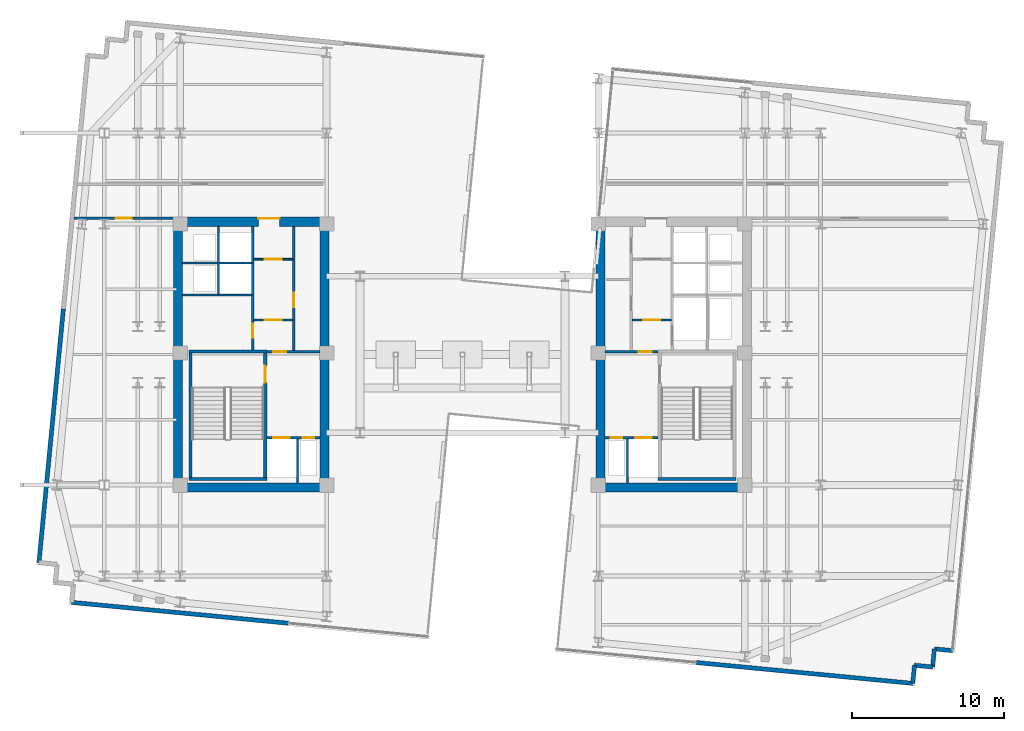
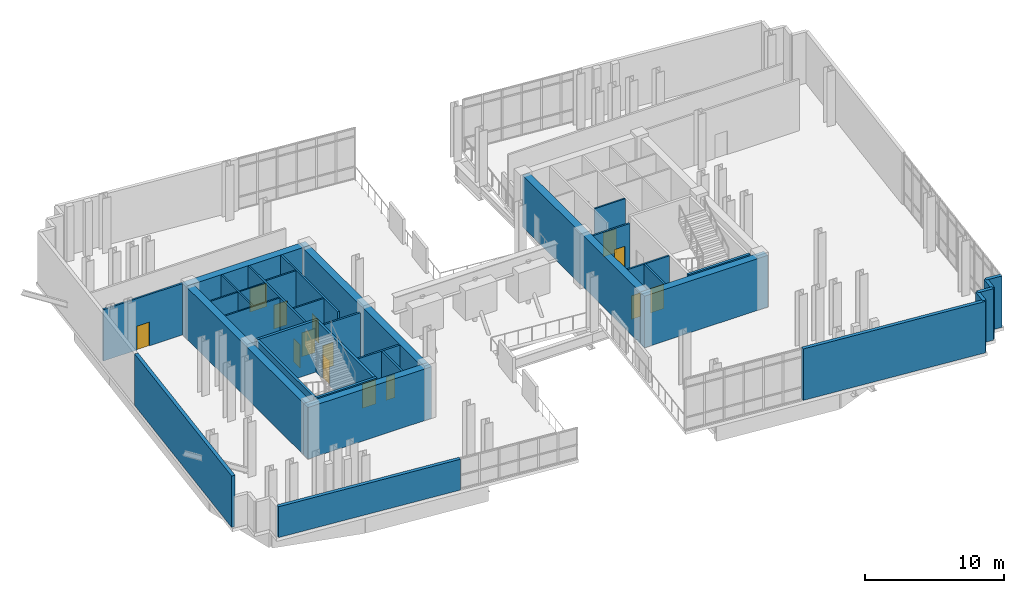
# One storey, part 12 of 16: 34 walls, 14 doors, 14 openings.
"""IFC4 building model written with IfcOpenShell, lengths in metres."""

from ifc_helpers import new_model, si_unit, direction, frame, frame_2d, origin, place, context, subcontext, project, spatial, rectangle, extrude, material, layer, layer_set, type_object, element, fill, save


model = new_model("IFC4")

# Units and contexts
model_context = context("Model", 3, precision=1e-05, world=origin(), true_north=direction((0.0, 1.0)))
body_context = subcontext(model_context, "Body", "Model", "MODEL_VIEW")
ifc_project = project(units=[si_unit("LENGTHUNIT", "METRE"), si_unit("AREAUNIT", "SQUARE_METRE"), si_unit("VOLUMEUNIT", "CUBIC_METRE"), si_unit("PLANEANGLEUNIT", "RADIAN"), si_unit("MASSUNIT", "GRAM", prefix="KILO")], contexts=[model_context])

# Site, building, storey
site_placement = place(None, origin())
site = spatial("IfcSite", under=ifc_project, at=site_placement, CompositionType="ELEMENT")
building_placement = place(site_placement, origin())
building = spatial("IfcBuilding", under=site, at=building_placement, Name="Velakula Bourse", CompositionType="ELEMENT")
storey_placement = place(building_placement, frame((0.0, 0.0, 199.5)))
storey = spatial("IfcBuildingStorey", under=building, at=storey_placement, Name="L54", CompositionType="ELEMENT", Elevation=199.5)

# Wall, opening, door
ifc_material_1 = material(Name="Concrete M50 (fck 50 MPa)", Category="concrete")
ifc_layer_1 = layer(ifc_material_1, 0.2099609375, Name="Concrete M50 (fck 50 MPa)", Category="concrete")
ifc_layer_set_1 = layer_set([ifc_layer_1], Name="Concrete M50 (fck 50 MPa)")
wall_type_1 = type_object("IfcWallType", Name="WL-CORE-210", PredefinedType="SHEAR", material=ifc_layer_set_1)
wall_1_placement = place(storey_placement, frame((-12.9951171875, -8.10009765625, 0.0), z_axis=(0.0, 0.0, 1.0), x_axis=(0.0, 1.0, 0.0)))
wall_1 = element("IfcWall", 1, at=wall_1_placement, inside=storey, type_object=wall_type_1, Name="L54 Core W Stairwell Shear Wall IN", PredefinedType="SHEAR", context=body_context, shape_type="SweptSolid", body=[
    extrude(rectangle(XDim=8.2001953125, YDim=0.2099609375, at=frame_2d((4.10009765625, 0.0))), origin(), (0.0, 0.0, 1.0), 4.52001953125),
])
opening_1_placement = place(wall_1_placement, frame((6.25, 0.0, 0.0)))
opening_1 = element("IfcOpeningElement", 2, at=opening_1_placement, cuts=wall_1, Name="Opening D-STW1", PredefinedType="OPENING", context=body_context, shape_type="SweptSolid", body=[
    extrude(rectangle(XDim=1.10009765625, YDim=2.14990234375, at=frame_2d((0.550048828125, 1.074951171875))), frame((0.0, 0.114990234375, 0.0), z_axis=(0.0, -1.0, 0.0), x_axis=(1.0, 0.0, 0.0)), (0.0, 0.0, 1.0), 0.22998046875),
])
ifc_material_2 = material(Name="Galvanised painted hollow steel fire door", Category="steel")
door_type_1 = type_object("IfcDoorType", Name="DR-FD120-1100x2150", OperationType="NOTDEFINED", PredefinedType="DOOR", material=ifc_material_2)
door_1_placement = place(opening_1_placement, origin())
door_1 = element("IfcDoor", 3, at=door_1_placement, inside=storey, type_object=door_type_1, Name="L54 Stair ST-W1 Fire Door", OperationType="SINGLE_SWING_LEFT", OverallHeight=2.14990234375, OverallWidth=1.10009765625, PredefinedType="DOOR", context=body_context, shape_type="SweptSolid", body=[
    extrude(rectangle(XDim=1.10009765625, YDim=2.14990234375, at=frame_2d((0.550048828125, 1.074951171875))), frame((0.0, 0.02490234375, 0.0), z_axis=(0.0, -1.0, 0.0), x_axis=(1.0, 0.0, 0.0)), (0.0, 0.0, 1.0), 0.050048828125),
])
fill(opening_1, door_1)

# Walls
wall_2_placement = place(storey_placement, frame((-17.925048828125, -8.10009765625, 0.0), z_axis=(0.0, 0.0, 1.0), x_axis=(0.0, 1.0, 0.0)))
element("IfcWall", 4, at=wall_2_placement, inside=storey, type_object=wall_type_1, Name="L54 Core W Stairwell Shear Wall OUT", PredefinedType="SHEAR", context=body_context, shape_type="SweptSolid", body=[
    extrude(rectangle(XDim=8.2001953125, YDim=0.2099609375, at=frame_2d((4.10009765625, 0.0))), origin(), (0.0, 0.0, 1.0), 4.52001953125),
])
for number, where, z_axis, x_axis, name in (
    (5, (-18.030029296875, -8.205078125, 0.0), (0.0, 0.0, 1.0), (1.0, 0.0, 0.0), "L54 Core W Stairwell Shear Wall S"),
    (6, (-12.889892578125, 0.205078125, 0.0), (0.0, 0.0, 1.0), (-1.0, 0.0, 0.0), "L54 Core W Stairwell Shear Wall N"),
    (7, (12.889892578125, -8.205078125, 0.0), (0.0, 0.0, 1.0), (1.0, 0.0, 0.0), "L54 Core E Stairwell Shear Wall S"),
):
    element("IfcWall", number, at=place(storey_placement, frame(where, z_axis=z_axis, x_axis=x_axis)), inside=storey, type_object=wall_type_1, Name=name, PredefinedType="SHEAR", context=body_context, shape_type="SweptSolid", body=[
        extrude(rectangle(XDim=5.14013671875, YDim=0.2099609375, at=frame_2d((2.570068359375, 0.0))), origin(), (0.0, 0.0, 1.0), 4.52001953125),
    ])
ifc_material_3 = material(Name="Concrete M70 (fck 70 MPa)", Category="concrete")
ifc_layer_2 = layer(ifc_material_3, 0.60009765625, Name="Concrete M70 (fck 70 MPa)", Category="concrete")
ifc_layer_set_2 = layer_set([ifc_layer_2], Name="Concrete M70 (fck 70 MPa)")
wall_type_2 = type_object("IfcWallType", Name="WL-CORE-600", PredefinedType="SHEAR", material=ifc_layer_set_2)
wall_3_placement = place(storey_placement, frame((-19.050048828125, -8.75, 0.0), z_axis=(0.0, 0.0, 1.0), x_axis=(1.0, 0.0, 0.0)))
element("IfcWall", 8, at=wall_3_placement, inside=storey, type_object=wall_type_2, Name="L54 Core W Shear Wall S", PredefinedType="SHEAR", context=body_context, shape_type="SweptSolid", body=[
    extrude(rectangle(XDim=10.25, YDim=0.60009765625, at=frame_2d((5.125, 0.0))), origin(), (0.0, 0.0, 1.0), 4.52001953125),
])

# Wall, opening, door
wall_4_placement = place(storey_placement, frame((-19.050048828125, 8.75, 0.0), z_axis=(0.0, 0.0, 1.0), x_axis=(1.0, 0.0, 0.0)))
wall_4 = element("IfcWall", 9, at=wall_4_placement, inside=storey, type_object=wall_type_2, Name="L54 Core W Shear Wall N", PredefinedType="SHEAR", context=body_context, shape_type="SweptSolid", body=[
    extrude(rectangle(XDim=10.25, YDim=0.60009765625, at=frame_2d((5.125, 0.0))), origin(), (0.0, 0.0, 1.0), 4.52001953125),
])
opening_2_placement = place(wall_4_placement, frame((5.60009765625, 0.0, 0.0)))
opening_2 = element("IfcOpeningElement", 10, at=opening_2_placement, cuts=wall_4, Name="Opening D-LLW", PredefinedType="OPENING", context=body_context, shape_type="SweptSolid", body=[
    extrude(rectangle(XDim=1.39990234375, YDim=2.050048828125, at=frame_2d((0.699951171875, 1.02490234375))), frame((0.0, 0.31005859375, 0.0), z_axis=(0.0, -1.0, 0.0), x_axis=(1.0, 0.0, 0.0)), (0.0, 0.0, 1.0), 0.6201171875),
])
ifc_material_4 = material(Name="Fire-rated hardwood flush architectural door", Category="wood")
door_type_2 = type_object("IfcDoorType", Name="DR-DBL-FD60-1400", OperationType="DOUBLE_DOOR_SINGLE_SWING", PredefinedType="DOOR", material=ifc_material_4)
door_2_placement = place(opening_2_placement, origin())
door_2 = element("IfcDoor", 11, at=door_2_placement, inside=storey, type_object=door_type_2, Name="L54 Core W Lift Lobby Corridor Double Door", OperationType="DOUBLE_DOOR_SINGLE_SWING", OverallHeight=2.050048828125, OverallWidth=1.39990234375, PredefinedType="DOOR", context=body_context, shape_type="SweptSolid", body=[
    extrude(rectangle(XDim=1.39990234375, YDim=2.050048828125, at=frame_2d((0.699951171875, 1.02490234375))), frame((0.0, 0.2451171875, 0.0), z_axis=(0.0, -1.0, 0.0), x_axis=(1.0, 0.0, 0.0)), (0.0, 0.0, 1.0), 0.050048828125),
])
fill(opening_2, door_2)

# Walls
for number, where, z_axis, x_axis, name in (
    (12, (-18.75, -8.449951171875, 0.0), (0.0, 0.0, 1.0), (0.0, 1.0, 0.0), "L54 Core W Shear Wall W"),
    (13, (-9.10009765625, -8.449951171875, 0.0), (0.0, 0.0, 1.0), (0.0, 1.0, 0.0), "L54 Core W Shear Wall E"),
):
    element("IfcWall", number, at=place(storey_placement, frame(where, z_axis=z_axis, x_axis=x_axis)), inside=storey, type_object=wall_type_2, Name=name, PredefinedType="SHEAR", context=body_context, shape_type="SweptSolid", body=[
        extrude(rectangle(XDim=16.89990234375, YDim=0.60009765625, at=frame_2d((8.449951171875, 0.0))), origin(), (0.0, 0.0, 1.0), 4.52001953125),
    ])
wall_5_placement = place(storey_placement, frame((8.800048828125, -8.75, 0.0), z_axis=(0.0, 0.0, 1.0), x_axis=(1.0, 0.0, 0.0)))
element("IfcWall", 14, at=wall_5_placement, inside=storey, type_object=wall_type_2, Name="L54 Core E Shear Wall S", PredefinedType="SHEAR", context=body_context, shape_type="SweptSolid", body=[
    extrude(rectangle(XDim=10.25, YDim=0.60009765625, at=frame_2d((5.125, 0.0))), origin(), (0.0, 0.0, 1.0), 4.52001953125),
])
wall_6_placement = place(storey_placement, frame((9.10009765625, -8.449951171875, 0.0), z_axis=(0.0, 0.0, 1.0), x_axis=(0.0, 1.0, 0.0)))
element("IfcWall", 15, at=wall_6_placement, inside=storey, type_object=wall_type_2, Name="L54 Core E Shear Wall W", PredefinedType="SHEAR", context=body_context, shape_type="SweptSolid", body=[
    extrude(rectangle(XDim=16.89990234375, YDim=0.60009765625, at=frame_2d((8.449951171875, 0.0))), origin(), (0.0, 0.0, 1.0), 4.52001953125),
])
ifc_material_5 = material(Name="Red kilned clay facing brick masonry", Category="masonry")
ifc_layer_3 = layer(ifc_material_5, 0.280029296875, Name="Red kilned clay facing brick masonry", Category="masonry")
ifc_layer_set_3 = layer_set([ifc_layer_3], Name="Red kilned clay facing brick masonry")
wall_type_3 = type_object("IfcWallType", Name="WL-EXT-BRK-280", PredefinedType="STANDARD", material=ifc_layer_set_3)
wall_7_placement = place(storey_placement, frame((-11.47705078125, -17.707763671875, 0.0), z_axis=(0.0, 0.0, 1.0), x_axis=(-0.995395762701, 0.095850276977, 0.0)))
element("IfcWall", 16, at=wall_7_placement, inside=storey, type_object=wall_type_3, Name="L54 S Brick Spandrel Wall B1", PredefinedType="STANDARD", context=body_context, shape_type="SweptSolid", body=[
    extrude(rectangle(XDim=14.340087890625, YDim=0.280029296875, at=frame_2d((7.169921875, 0.0))), origin(), (0.0, 0.0, 1.0), 2.695068359375),
])
wall_8_placement = place(storey_placement, frame((29.672607421875, -21.669921875, 0.0), z_axis=(0.0, 0.0, 1.0), x_axis=(-0.995397230529, 0.095835032509, 0.0)))
element("IfcWall", 17, at=wall_8_placement, inside=storey, type_object=wall_type_3, Name="L54 S Brick Spandrel Wall B5", PredefinedType="STANDARD", context=body_context, shape_type="SweptSolid", body=[
    extrude(rectangle(XDim=14.33984375, YDim=0.280029296875, at=frame_2d((7.169921875, 0.0))), origin(), (0.0, 0.0, 1.0), 4.5),
])
wall_9_placement = place(storey_placement, frame((-27.909912109375, -13.71435546875, 0.0), z_axis=(0.0, 0.0, 1.0), x_axis=(0.095839027265, 0.995396845913, 0.0)))
element("IfcWall", 18, at=wall_9_placement, inside=storey, type_object=wall_type_3, Name="L54 W Brick End Wall W1", PredefinedType="STANDARD", context=body_context, shape_type="SweptSolid", body=[
    extrude(rectangle(XDim=16.7900390625, YDim=0.280029296875, at=frame_2d((8.39501953125, 0.0))), origin(), (0.0, 0.0, 1.0), 4.5),
])
for number, where, z_axis, x_axis, name in (
    (19, (29.672607421875, -21.669921875, 0.0), (0.0, 0.0, 1.0), (0.095836473879, 0.995397091755, 0.0), "L54 Serrated Corner Brick Wall SE-1"),
    (20, (29.78759765625, -20.4755859375, 0.0), (0.0, 0.0, 1.0), (0.995397091755, -0.095836473879, 0.0), "L54 Serrated Corner Brick Wall SE-2"),
):
    element("IfcWall", number, at=place(storey_placement, frame(where, z_axis=z_axis, x_axis=x_axis)), inside=storey, type_object=wall_type_3, Name=name, PredefinedType="STANDARD", context=body_context, shape_type="SweptSolid", body=[
        extrude(rectangle(XDim=1.199951171875, YDim=0.280029296875, at=frame_2d((0.60009765625, 0.0))), origin(), (0.0, 0.0, 1.0), 4.5),
    ])
wall_10_placement = place(storey_placement, frame((30.98193359375, -20.590576171875, 0.0), z_axis=(0.0, 0.0, 1.0), x_axis=(0.096018626938, 0.995379537303, 0.0)))
element("IfcWall", 21, at=wall_10_placement, inside=storey, type_object=wall_type_3, Name="L54 Serrated Corner Brick Wall SE-3", PredefinedType="STANDARD", context=body_context, shape_type="SweptSolid", body=[
    extrude(rectangle(XDim=1.2001953125, YDim=0.280029296875, at=frame_2d((0.60009765625, 0.0))), origin(), (0.0, 0.0, 1.0), 4.5),
])
wall_11_placement = place(storey_placement, frame((31.09716796875, -19.39599609375, 0.0), z_axis=(0.0, 0.0, 1.0), x_axis=(0.995397091755, -0.095836473879, 0.0)))
element("IfcWall", 22, at=wall_11_placement, inside=storey, type_object=wall_type_3, Name="L54 Serrated Corner Brick Wall SE-4", PredefinedType="STANDARD", context=body_context, shape_type="SweptSolid", body=[
    extrude(rectangle(XDim=1.199951171875, YDim=0.280029296875, at=frame_2d((0.60009765625, 0.0))), origin(), (0.0, 0.0, 1.0), 4.5),
])

# Wall, opening, door
ifc_material_6 = material(Name="Fire-rated double-layer gypsum drywall partition", Category="gypsum")
ifc_layer_4 = layer(ifc_material_6, 0.1201171875, Name="Fire-rated double-layer gypsum drywall partition", Category="gypsum")
ifc_layer_set_4 = layer_set([ifc_layer_4], Name="Fire-rated double-layer gypsum drywall partition")
wall_type_4 = type_object("IfcWallType", Name="WL-PART-120", PredefinedType="STANDARD", material=ifc_layer_set_4)
wall_12_placement = place(storey_placement, frame((-13.75, 2.280029296875, 0.0), z_axis=(0.0, 0.0, 1.0), x_axis=(1.0, 0.0, 0.0)))
wall_12 = element("IfcWall", 23, at=wall_12_placement, inside=storey, type_object=wall_type_4, Name="L54 Interior Partition WL-CRW-L54-LL-K3A", PredefinedType="STANDARD", context=body_context, shape_type="SweptSolid", body=[
    extrude(rectangle(XDim=2.550048828125, YDim=0.1201171875, at=frame_2d((1.27490234375, 0.0))), origin(), (0.0, 0.0, 1.0), 4.5),
])
opening_3_placement = place(wall_12_placement, frame((0.72509765625, 0.0, 0.0)))
opening_3 = element("IfcOpeningElement", 24, at=opening_3_placement, cuts=wall_12, Name="Opening D-LK3", PredefinedType="OPENING", context=body_context, shape_type="SweptSolid", body=[
    extrude(rectangle(XDim=1.10009765625, YDim=2.10009765625, at=frame_2d((0.550048828125, 1.050048828125))), frame((0.0, 0.070068359375, 0.0), z_axis=(0.0, -1.0, 0.0), x_axis=(1.0, 0.0, 0.0)), (0.0, 0.0, 1.0), 0.14013671875),
])
door_type_3 = type_object("IfcDoorType", Name="DR-FD60-1100x2100", OperationType="NOTDEFINED", PredefinedType="DOOR", material=ifc_material_4)
door_3_placement = place(opening_3_placement, origin())
door_3 = element("IfcDoor", 25, at=door_3_placement, inside=storey, type_object=door_type_3, Name="L54 Core W Lift Lobby Vestibule Door A", OperationType="SINGLE_SWING_RIGHT", OverallHeight=2.10009765625, OverallWidth=1.10009765625, PredefinedType="DOOR", context=body_context, shape_type="SweptSolid", body=[
    extrude(rectangle(XDim=1.10009765625, YDim=2.10009765625, at=frame_2d((0.550048828125, 1.050048828125))), frame((0.0, 0.02490234375, 0.0), z_axis=(0.0, -1.0, 0.0), x_axis=(1.0, 0.0, 0.0)), (0.0, 0.0, 1.0), 0.050048828125),
])
fill(opening_3, door_3)

wall_13_placement = place(storey_placement, frame((-13.75, 6.280029296875, 0.0), z_axis=(0.0, 0.0, 1.0), x_axis=(1.0, 0.0, 0.0)))
wall_13 = element("IfcWall", 26, at=wall_13_placement, inside=storey, type_object=wall_type_4, Name="L54 Interior Partition WL-CRW-L54-LL-K3B", PredefinedType="STANDARD", context=body_context, shape_type="SweptSolid", body=[
    extrude(rectangle(XDim=2.550048828125, YDim=0.1201171875, at=frame_2d((1.27490234375, 0.0))), origin(), (0.0, 0.0, 1.0), 4.5),
])
opening_4_placement = place(wall_13_placement, frame((0.72509765625, 0.0, 0.0)))
opening_4 = element("IfcOpeningElement", 27, at=opening_4_placement, cuts=wall_13, Name="Opening D-LK3", PredefinedType="OPENING", context=body_context, shape_type="SweptSolid", body=[
    extrude(rectangle(XDim=1.10009765625, YDim=2.10009765625, at=frame_2d((0.550048828125, 1.050048828125))), frame((0.0, 0.070068359375, 0.0), z_axis=(0.0, -1.0, 0.0), x_axis=(1.0, 0.0, 0.0)), (0.0, 0.0, 1.0), 0.14013671875),
])
door_4_placement = place(opening_4_placement, origin())
door_4 = element("IfcDoor", 28, at=door_4_placement, inside=storey, type_object=door_type_3, Name="L54 Core W Lift Lobby Vestibule Door B", OperationType="SINGLE_SWING_RIGHT", OverallHeight=2.10009765625, OverallWidth=1.10009765625, PredefinedType="DOOR", context=body_context, shape_type="SweptSolid", body=[
    extrude(rectangle(XDim=1.10009765625, YDim=2.10009765625, at=frame_2d((0.550048828125, 1.050048828125))), frame((0.0, 0.02490234375, 0.0), z_axis=(0.0, -1.0, 0.0), x_axis=(1.0, 0.0, 0.0)), (0.0, 0.0, 1.0), 0.050048828125),
])
fill(opening_4, door_4)

# Walls
wall_14_placement = place(storey_placement, frame((-18.449951171875, 3.919921875, 0.0), z_axis=(0.0, 0.0, 1.0), x_axis=(1.0, 0.0, 0.0)))
element("IfcWall", 29, at=wall_14_placement, inside=storey, type_object=wall_type_4, Name="L54 Interior Partition WL-CRW-L54-HI-S", PredefinedType="STANDARD", context=body_context, shape_type="SweptSolid", body=[
    extrude(rectangle(XDim=4.550048828125, YDim=0.1201171875, at=frame_2d((2.27490234375, 0.0))), origin(), (0.0, 0.0, 1.0), 4.5),
])
wall_15_placement = place(storey_placement, frame((-18.449951171875, 6.030029296875, 0.0), z_axis=(0.0, 0.0, 1.0), x_axis=(1.0, 0.0, 0.0)))
element("IfcWall", 30, at=wall_15_placement, inside=storey, type_object=wall_type_4, Name="L54 Interior Partition WL-CRW-L54-RIS-MID", PredefinedType="STANDARD", context=body_context, shape_type="SweptSolid", body=[
    extrude(rectangle(XDim=2.300048828125, YDim=0.1201171875, at=frame_2d((1.14990234375, 0.0))), origin(), (0.0, 0.0, 1.0), 4.5),
])
wall_16_placement = place(storey_placement, frame((-16.074951171875, 3.97998046875, 0.0), z_axis=(0.0, 0.0, 1.0), x_axis=(0.0, 1.0, 0.0)))
element("IfcWall", 31, at=wall_16_placement, inside=storey, type_object=wall_type_4, Name="L54 Interior Partition WL-CRW-L54-RIS-F", PredefinedType="STANDARD", context=body_context, shape_type="SweptSolid", body=[
    extrude(rectangle(XDim=4.469970703125, YDim=0.1201171875, at=frame_2d((2.23486328125, 0.0))), origin(), (0.0, 0.0, 1.0), 4.5),
])
wall_17_placement = place(storey_placement, frame((-16.0, 6.030029296875, 0.0), z_axis=(0.0, 0.0, 1.0), x_axis=(1.0, 0.0, 0.0)))
element("IfcWall", 32, at=wall_17_placement, inside=storey, type_object=wall_type_4, Name="L54 Interior Partition WL-CRW-L54-HI-DIV", PredefinedType="STANDARD", context=body_context, shape_type="SweptSolid", body=[
    extrude(rectangle(XDim=2.10009765625, YDim=0.1201171875, at=frame_2d((1.050048828125, 0.0))), origin(), (0.0, 0.0, 1.0), 4.5),
])

# Wall, opening, door
wall_18_placement = place(storey_placement, frame((11.199951171875, 2.280029296875, 0.0), z_axis=(0.0, 0.0, 1.0), x_axis=(1.0, 0.0, 0.0)))
wall_18 = element("IfcWall", 33, at=wall_18_placement, inside=storey, type_object=wall_type_4, Name="L54 Interior Partition WL-CRE-L54-LL-K3A", PredefinedType="STANDARD", context=body_context, shape_type="SweptSolid", body=[
    extrude(rectangle(XDim=2.550048828125, YDim=0.1201171875, at=frame_2d((1.27490234375, 0.0))), origin(), (0.0, 0.0, 1.0), 4.5),
])
opening_5_placement = place(wall_18_placement, frame((0.72509765625, 0.0, 0.0)))
opening_5 = element("IfcOpeningElement", 34, at=opening_5_placement, cuts=wall_18, Name="Opening D-LK3", PredefinedType="OPENING", context=body_context, shape_type="SweptSolid", body=[
    extrude(rectangle(XDim=1.10009765625, YDim=2.10009765625, at=frame_2d((0.550048828125, 1.050048828125))), frame((0.0, 0.070068359375, 0.0), z_axis=(0.0, -1.0, 0.0), x_axis=(1.0, 0.0, 0.0)), (0.0, 0.0, 1.0), 0.14013671875),
])
door_5_placement = place(opening_5_placement, origin())
door_5 = element("IfcDoor", 35, at=door_5_placement, inside=storey, type_object=door_type_3, Name="L54 Core E Lift Lobby Vestibule Door A", OperationType="SINGLE_SWING_RIGHT", OverallHeight=2.10009765625, OverallWidth=1.10009765625, PredefinedType="DOOR", context=body_context, shape_type="SweptSolid", body=[
    extrude(rectangle(XDim=1.10009765625, YDim=2.10009765625, at=frame_2d((0.550048828125, 1.050048828125))), frame((0.0, 0.02490234375, 0.0), z_axis=(0.0, -1.0, 0.0), x_axis=(1.0, 0.0, 0.0)), (0.0, 0.0, 1.0), 0.050048828125),
])
fill(opening_5, door_5)

# Wall, openings, doors
ifc_material_7 = material(Name="Autoclaved aerated concrete blockwork masonry", Category="masonry")
ifc_layer_5 = layer(ifc_material_7, 0.14990234375, Name="Autoclaved aerated concrete blockwork masonry", Category="masonry")
ifc_layer_set_5 = layer_set([ifc_layer_5], Name="Autoclaved aerated concrete blockwork masonry")
wall_type_5 = type_object("IfcWallType", Name="WL-SHAFT-150", PredefinedType="STANDARD", material=ifc_layer_set_5)
wall_19_placement = place(storey_placement, frame((-12.89501953125, -5.47509765625, 0.0), z_axis=(0.0, 0.0, 1.0), x_axis=(1.0, 0.0, 0.0)))
wall_19 = element("IfcWall", 36, at=wall_19_placement, inside=storey, type_object=wall_type_5, Name="L54 Interior Partition WL-CRW-L54-FFL-N", PredefinedType="STANDARD", context=body_context, shape_type="SweptSolid", body=[
    extrude(rectangle(XDim=3.4951171875, YDim=0.14990234375, at=frame_2d((1.74755859375, 0.0))), origin(), (0.0, 0.0, 1.0), 4.5),
])
opening_6_placement = place(wall_19_placement, frame((0.419921875, 0.0, 0.0)))
opening_6 = element("IfcOpeningElement", 37, at=opening_6_placement, cuts=wall_19, Name="Opening LD-FFL-1", PredefinedType="OPENING", context=body_context, shape_type="SweptSolid", body=[
    extrude(rectangle(XDim=1.10009765625, YDim=2.14990234375, at=frame_2d((0.550048828125, 1.074951171875))), frame((0.0, 0.0849609375, 0.0), z_axis=(0.0, -1.0, 0.0), x_axis=(1.0, 0.0, 0.0)), (0.0, 0.0, 1.0), 0.169921875),
])
opening_7_placement = place(wall_19_placement, frame((2.3701171875, 0.0, 0.0)))
opening_7 = element("IfcOpeningElement", 38, at=opening_7_placement, cuts=wall_19, Name="Opening D-RS1", PredefinedType="OPENING", context=body_context, shape_type="SweptSolid", body=[
    extrude(rectangle(XDim=0.75, YDim=2.050048828125, at=frame_2d((0.375, 1.02490234375))), frame((0.0, 0.0849609375, 0.0), z_axis=(0.0, -1.0, 0.0), x_axis=(1.0, 0.0, 0.0)), (0.0, 0.0, 1.0), 0.169921875),
])
door_type_4 = type_object("IfcDoorType", Name="DR-RISER-800", OperationType="NOTDEFINED", PredefinedType="DOOR", material=ifc_material_2)
door_6_placement = place(opening_7_placement, origin())
door_6 = element("IfcDoor", 39, at=door_6_placement, inside=storey, type_object=door_type_4, Name="L54 Fire Riser Access Door", OperationType="SINGLE_SWING_LEFT", OverallHeight=2.050048828125, OverallWidth=0.75, PredefinedType="DOOR", context=body_context, shape_type="SweptSolid", body=[
    extrude(rectangle(XDim=0.75, YDim=2.050048828125, at=frame_2d((0.375, 1.02490234375))), frame((0.0, 0.02490234375, 0.0), z_axis=(0.0, -1.0, 0.0), x_axis=(1.0, 0.0, 0.0)), (0.0, 0.0, 1.0), 0.050048828125),
])
fill(opening_7, door_6)
ifc_material_8 = material(Name="Brushed grade 316 stainless steel", Category="steel")
door_type_5 = type_object("IfcDoorType", Name="DR-SLIDE-FFL-1100", OperationType="DOUBLE_DOOR_SLIDING", PredefinedType="DOOR", material=ifc_material_8)
door_7_placement = place(opening_6_placement, origin())
door_7 = element("IfcDoor", 40, at=door_7_placement, inside=storey, type_object=door_type_5, Name="L54 Firefighting Lift FFL-1 Sliding Landing Door", OperationType="DOUBLE_DOOR_SLIDING", OverallHeight=2.14990234375, OverallWidth=1.10009765625, PredefinedType="DOOR", context=body_context, shape_type="SweptSolid", body=[
    extrude(rectangle(XDim=1.10009765625, YDim=2.14990234375, at=frame_2d((0.550048828125, 1.074951171875))), frame((0.0, 0.02490234375, 0.0), z_axis=(0.0, -1.0, 0.0), x_axis=(1.0, 0.0, 0.0)), (0.0, 0.0, 1.0), 0.050048828125),
])
fill(opening_6, door_7)

# Wall
wall_20_placement = place(storey_placement, frame((-10.875, -8.449951171875, 0.0), z_axis=(0.0, 0.0, 1.0), x_axis=(0.0, 1.0, 0.0)))
element("IfcWall", 41, at=wall_20_placement, inside=storey, type_object=wall_type_5, Name="L54 Interior Partition WL-CRW-L54-FR-DIV", PredefinedType="STANDARD", context=body_context, shape_type="SweptSolid", body=[
    extrude(rectangle(XDim=2.89990234375, YDim=0.14990234375, at=frame_2d((1.449951171875, 0.0))), origin(), (0.0, 0.0, 1.0), 4.5),
])

# Wall, opening, door
wall_21_placement = place(storey_placement, frame((-12.889892578125, 0.18994140625, 0.0), z_axis=(0.0, 0.0, 1.0), x_axis=(1.0, 0.0, 0.0)))
wall_21 = element("IfcWall", 42, at=wall_21_placement, inside=storey, type_object=wall_type_5, Name="L54 Interior Partition WL-CRW-L54-FF-TOP", PredefinedType="STANDARD", context=body_context, shape_type="SweptSolid", body=[
    extrude(rectangle(XDim=3.489990234375, YDim=0.14990234375, at=frame_2d((1.7451171875, 0.0))), origin(), (0.0, 0.0, 1.0), 3.89501953125),
])
opening_8_placement = place(wall_21_placement, frame((0.4150390625, 0.0, 0.0)))
opening_8 = element("IfcOpeningElement", 43, at=opening_8_placement, cuts=wall_21, Name="Opening D-FC1", PredefinedType="OPENING", context=body_context, shape_type="SweptSolid", body=[
    extrude(rectangle(XDim=0.85009765625, YDim=2.0400390625, at=frame_2d((0.425048828125, 1.02001953125))), frame((0.0, 0.0849609375, 0.0), z_axis=(0.0, -1.0, 0.0), x_axis=(1.0, 0.0, 0.0)), (0.0, 0.0, 1.0), 0.169921875),
])
door_type_6 = type_object("IfcDoorType", Name="DR-FD120-850", OperationType="NOTDEFINED", PredefinedType="DOOR", material=ifc_material_2)
door_8_placement = place(opening_8_placement, origin())
door_8 = element("IfcDoor", 44, at=door_8_placement, inside=storey, type_object=door_type_6, Name="L54 Firefighting Lobby Link Fire Door", OperationType="SINGLE_SWING_RIGHT", OverallHeight=2.0400390625, OverallWidth=0.85009765625, PredefinedType="DOOR", context=body_context, shape_type="SweptSolid", body=[
    extrude(rectangle(XDim=0.85009765625, YDim=2.0400390625, at=frame_2d((0.425048828125, 1.02001953125))), frame((0.0, 0.02490234375, 0.0), z_axis=(0.0, -1.0, 0.0), x_axis=(1.0, 0.0, 0.0)), (0.0, 0.0, 1.0), 0.050048828125),
])
fill(opening_8, door_8)

wall_22_placement = place(storey_placement, frame((-11.125, 0.27001953125, 0.0), z_axis=(0.0, 0.0, 1.0), x_axis=(0.0, 1.0, 0.0)))
wall_22 = element("IfcWall", 45, at=wall_22_placement, inside=storey, type_object=wall_type_5, Name="L54 Interior Partition WL-CRW-L54-BANK-F", PredefinedType="STANDARD", context=body_context, shape_type="SweptSolid", body=[
    extrude(rectangle(XDim=8.179931640625, YDim=0.14990234375, at=frame_2d((4.08984375, 0.0))), origin(), (0.0, 0.0, 1.0), 4.5),
])
opening_9_placement = place(wall_22_placement, frame((2.85009765625, 0.0, 0.0)))
opening_9 = element("IfcOpeningElement", 46, at=opening_9_placement, cuts=wall_22, Name="Opening D-RC4", PredefinedType="OPENING", context=body_context, shape_type="SweptSolid", body=[
    extrude(rectangle(XDim=0.949951171875, YDim=2.050048828125, at=frame_2d((0.47509765625, 1.02490234375))), frame((0.0, 0.0849609375, 0.0), z_axis=(0.0, -1.0, 0.0), x_axis=(1.0, 0.0, 0.0)), (0.0, 0.0, 1.0), 0.169921875),
])
door_type_7 = type_object("IfcDoorType", Name="DR-FD60-950x2050", OperationType="NOTDEFINED", PredefinedType="DOOR", material=ifc_material_4)
door_9_placement = place(opening_9_placement, origin())
door_9 = element("IfcDoor", 47, at=door_9_placement, inside=storey, type_object=door_type_7, Name="L54 Reclaimed Multi-Bay Archive Room Door", OperationType="SINGLE_SWING_RIGHT", OverallHeight=2.050048828125, OverallWidth=0.949951171875, PredefinedType="DOOR", context=body_context, shape_type="SweptSolid", body=[
    extrude(rectangle(XDim=0.949951171875, YDim=2.050048828125, at=frame_2d((0.47509765625, 1.02490234375))), frame((0.0, 0.02490234375, 0.0), z_axis=(0.0, -1.0, 0.0), x_axis=(1.0, 0.0, 0.0)), (0.0, 0.0, 1.0), 0.050048828125),
])
fill(opening_9, door_9)

wall_23_placement = place(storey_placement, frame((-13.824951171875, 0.27001953125, 0.0), z_axis=(0.0, 0.0, 1.0), x_axis=(0.0, 1.0, 0.0)))
wall_23 = element("IfcWall", 48, at=wall_23_placement, inside=storey, type_object=wall_type_5, Name="L54 Interior Partition WL-CRW-L54-OUT-F", PredefinedType="STANDARD", context=body_context, shape_type="SweptSolid", body=[
    extrude(rectangle(XDim=8.179931640625, YDim=0.14990234375, at=frame_2d((4.08984375, 0.0))), origin(), (0.0, 0.0, 1.0), 4.5),
])
opening_10_placement = place(wall_23_placement, frame((0.85009765625, 0.0, 0.0)))
opening_10 = element("IfcOpeningElement", 49, at=opening_10_placement, cuts=wall_23, Name="Opening D-CR3", PredefinedType="OPENING", context=body_context, shape_type="SweptSolid", body=[
    extrude(rectangle(XDim=0.89990234375, YDim=2.050048828125, at=frame_2d((0.449951171875, 1.02490234375))), frame((0.0, 0.0849609375, 0.0), z_axis=(0.0, -1.0, 0.0), x_axis=(1.0, 0.0, 0.0)), (0.0, 0.0, 1.0), 0.169921875),
])
door_type_8 = type_object("IfcDoorType", Name="DR-INT-900", OperationType="NOTDEFINED", PredefinedType="DOOR", material=ifc_material_4)
door_10_placement = place(opening_10_placement, origin())
door_10 = element("IfcDoor", 50, at=door_10_placement, inside=storey, type_object=door_type_8, Name="L54 Core Stationery and Mail Room Door", OperationType="SINGLE_SWING_RIGHT", OverallHeight=2.050048828125, OverallWidth=0.89990234375, PredefinedType="DOOR", context=body_context, shape_type="SweptSolid", body=[
    extrude(rectangle(XDim=0.89990234375, YDim=2.050048828125, at=frame_2d((0.449951171875, 1.02490234375))), frame((0.0, 0.02490234375, 0.0), z_axis=(0.0, -1.0, 0.0), x_axis=(1.0, 0.0, 0.0)), (0.0, 0.0, 1.0), 0.050048828125),
])
fill(opening_10, door_10)

# Wall, openings, doors
wall_24_placement = place(storey_placement, frame((9.39990234375, -5.47509765625, 0.0), z_axis=(0.0, 0.0, 1.0), x_axis=(1.0, 0.0, 0.0)))
wall_24 = element("IfcWall", 51, at=wall_24_placement, inside=storey, type_object=wall_type_5, Name="L54 Interior Partition WL-CRE-L54-FFL-N", PredefinedType="STANDARD", context=body_context, shape_type="SweptSolid", body=[
    extrude(rectangle(XDim=3.4951171875, YDim=0.14990234375, at=frame_2d((1.74755859375, 0.0))), origin(), (0.0, 0.0, 1.0), 4.5),
])
opening_11_placement = place(wall_24_placement, frame((1.97509765625, 0.0, 0.0)))
opening_11 = element("IfcOpeningElement", 52, at=opening_11_placement, cuts=wall_24, Name="Opening LD-FFL-2", PredefinedType="OPENING", context=body_context, shape_type="SweptSolid", body=[
    extrude(rectangle(XDim=1.10009765625, YDim=2.14990234375, at=frame_2d((0.550048828125, 1.074951171875))), frame((0.0, 0.0849609375, 0.0), z_axis=(0.0, -1.0, 0.0), x_axis=(1.0, 0.0, 0.0)), (0.0, 0.0, 1.0), 0.169921875),
])
opening_12_placement = place(wall_24_placement, frame((0.375, 0.0, 0.0)))
opening_12 = element("IfcOpeningElement", 53, at=opening_12_placement, cuts=wall_24, Name="Opening D-RS1", PredefinedType="OPENING", context=body_context, shape_type="SweptSolid", body=[
    extrude(rectangle(XDim=0.75, YDim=2.050048828125, at=frame_2d((0.375, 1.02490234375))), frame((0.0, 0.0849609375, 0.0), z_axis=(0.0, -1.0, 0.0), x_axis=(1.0, 0.0, 0.0)), (0.0, 0.0, 1.0), 0.169921875),
])
door_11_placement = place(opening_12_placement, origin())
door_11 = element("IfcDoor", 54, at=door_11_placement, inside=storey, type_object=door_type_4, Name="L54 Fire Riser Access Door", OperationType="SINGLE_SWING_LEFT", OverallHeight=2.050048828125, OverallWidth=0.75, PredefinedType="DOOR", context=body_context, shape_type="SweptSolid", body=[
    extrude(rectangle(XDim=0.75, YDim=2.050048828125, at=frame_2d((0.375, 1.02490234375))), frame((0.0, 0.02490234375, 0.0), z_axis=(0.0, -1.0, 0.0), x_axis=(1.0, 0.0, 0.0)), (0.0, 0.0, 1.0), 0.050048828125),
])
fill(opening_12, door_11)
door_12_placement = place(opening_11_placement, origin())
door_12 = element("IfcDoor", 55, at=door_12_placement, inside=storey, type_object=door_type_5, Name="L54 Firefighting Lift FFL-2 Sliding Landing Door", OperationType="DOUBLE_DOOR_SLIDING", OverallHeight=2.14990234375, OverallWidth=1.10009765625, PredefinedType="DOOR", context=body_context, shape_type="SweptSolid", body=[
    extrude(rectangle(XDim=1.10009765625, YDim=2.14990234375, at=frame_2d((0.550048828125, 1.074951171875))), frame((0.0, 0.02490234375, 0.0), z_axis=(0.0, -1.0, 0.0), x_axis=(1.0, 0.0, 0.0)), (0.0, 0.0, 1.0), 0.050048828125),
])
fill(opening_11, door_12)

# Wall
wall_25_placement = place(storey_placement, frame((10.875, -8.449951171875, 0.0), z_axis=(0.0, 0.0, 1.0), x_axis=(0.0, 1.0, 0.0)))
element("IfcWall", 56, at=wall_25_placement, inside=storey, type_object=wall_type_5, Name="L54 Interior Partition WL-CRE-L54-FR-DIV", PredefinedType="STANDARD", context=body_context, shape_type="SweptSolid", body=[
    extrude(rectangle(XDim=2.89990234375, YDim=0.14990234375, at=frame_2d((1.449951171875, 0.0))), origin(), (0.0, 0.0, 1.0), 4.5),
])

# Wall, opening, door
wall_26_placement = place(storey_placement, frame((9.39990234375, 0.18994140625, 0.0), z_axis=(0.0, 0.0, 1.0), x_axis=(1.0, 0.0, 0.0)))
wall_26 = element("IfcWall", 57, at=wall_26_placement, inside=storey, type_object=wall_type_5, Name="L54 Interior Partition WL-CRE-L54-FF-TOP", PredefinedType="STANDARD", context=body_context, shape_type="SweptSolid", body=[
    extrude(rectangle(XDim=3.489990234375, YDim=0.14990234375, at=frame_2d((1.7451171875, 0.0))), origin(), (0.0, 0.0, 1.0), 3.89501953125),
])
opening_13_placement = place(wall_26_placement, frame((2.22509765625, 0.0, 0.0)))
opening_13 = element("IfcOpeningElement", 58, at=opening_13_placement, cuts=wall_26, Name="Opening D-FC1", PredefinedType="OPENING", context=body_context, shape_type="SweptSolid", body=[
    extrude(rectangle(XDim=0.85009765625, YDim=2.0400390625, at=frame_2d((0.425048828125, 1.02001953125))), frame((0.0, 0.0849609375, 0.0), z_axis=(0.0, -1.0, 0.0), x_axis=(1.0, 0.0, 0.0)), (0.0, 0.0, 1.0), 0.169921875),
])
door_13_placement = place(opening_13_placement, origin())
door_13 = element("IfcDoor", 59, at=door_13_placement, inside=storey, type_object=door_type_6, Name="L54 Firefighting Lobby Link Fire Door", OperationType="SINGLE_SWING_LEFT", OverallHeight=2.0400390625, OverallWidth=0.85009765625, PredefinedType="DOOR", context=body_context, shape_type="SweptSolid", body=[
    extrude(rectangle(XDim=0.85009765625, YDim=2.0400390625, at=frame_2d((0.425048828125, 1.02001953125))), frame((0.0, 0.02490234375, 0.0), z_axis=(0.0, -1.0, 0.0), x_axis=(1.0, 0.0, 0.0)), (0.0, 0.0, 1.0), 0.050048828125),
])
fill(opening_13, door_13)

wall_27_placement = place(storey_placement, frame((-25.604248046875, 8.97998046875, 0.0), z_axis=(0.0, 0.0, 1.0), x_axis=(1.0, 0.0, 0.0)))
wall_27 = element("IfcWall", 60, at=wall_27_placement, inside=storey, type_object=wall_type_5, Name="L54 Interior Partition WL-PLT-L54-W-WC", PredefinedType="STANDARD", context=body_context, shape_type="SweptSolid", body=[
    extrude(rectangle(XDim=6.55419921875, YDim=0.14990234375, at=frame_2d((3.277099609375, 0.0))), origin(), (0.0, 0.0, 1.0), 4.5),
])
opening_14_placement = place(wall_27_placement, frame((2.752197265625, 0.0, 0.0)))
opening_14 = element("IfcOpeningElement", 61, at=opening_14_placement, cuts=wall_27, Name="Opening D-PL1", PredefinedType="OPENING", context=body_context, shape_type="SweptSolid", body=[
    extrude(rectangle(XDim=1.050048828125, YDim=2.080078125, at=frame_2d((0.52490234375, 1.0400390625))), frame((0.0, 0.0849609375, 0.0), z_axis=(0.0, -1.0, 0.0), x_axis=(1.0, 0.0, 0.0)), (0.0, 0.0, 1.0), 0.169921875),
])
door_type_9 = type_object("IfcDoorType", Name="DR-FD120-1050x2080", OperationType="NOTDEFINED", PredefinedType="DOOR", material=ifc_material_2)
door_14_placement = place(opening_14_placement, origin())
door_14 = element("IfcDoor", 62, at=door_14_placement, inside=storey, type_object=door_type_9, Name="L54 Turbine Hydraulic Damper Pump Plant Room Door", OperationType="SINGLE_SWING_RIGHT", OverallHeight=2.080078125, OverallWidth=1.050048828125, PredefinedType="DOOR", context=body_context, shape_type="SweptSolid", body=[
    extrude(rectangle(XDim=1.050048828125, YDim=2.080078125, at=frame_2d((0.52490234375, 1.0400390625))), frame((0.0, 0.02490234375, 0.0), z_axis=(0.0, -1.0, 0.0), x_axis=(1.0, 0.0, 0.0)), (0.0, 0.0, 1.0), 0.050048828125),
])
fill(opening_14, door_14)

save(model, "model.ifc")
